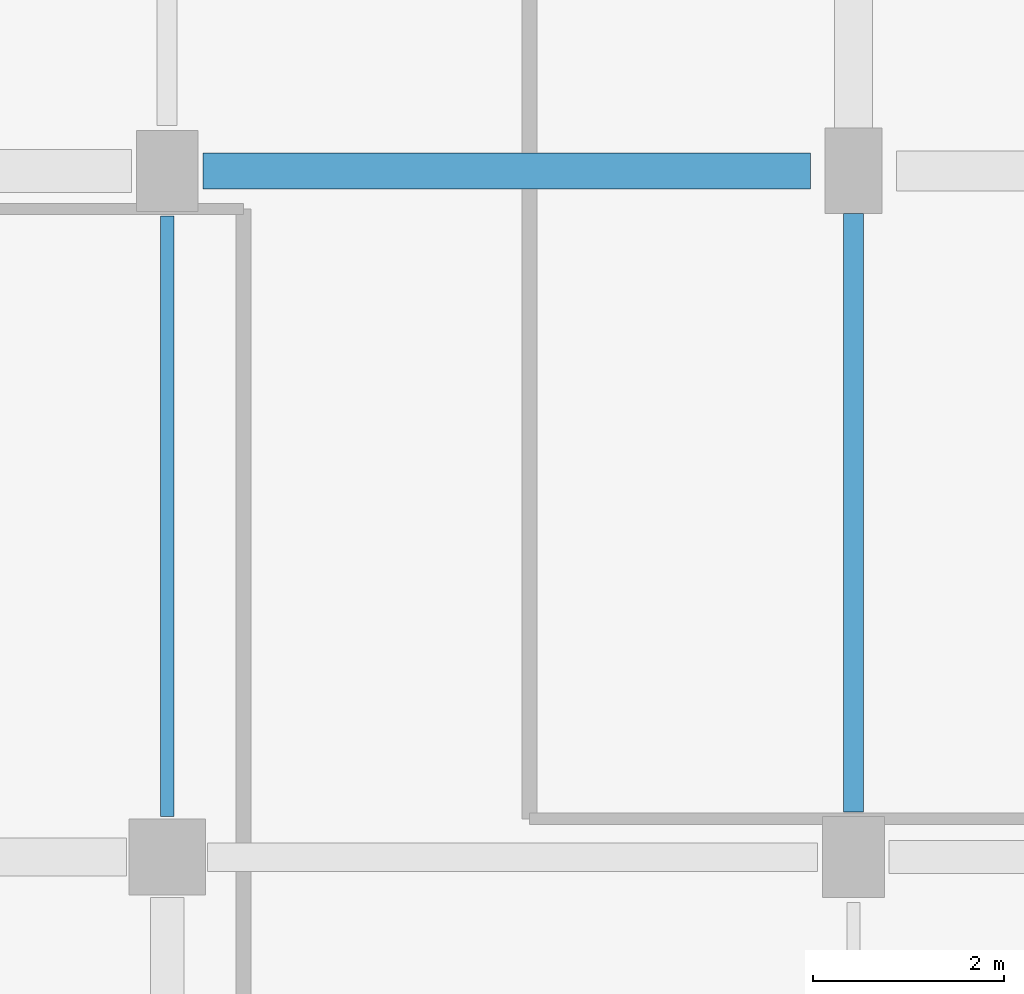
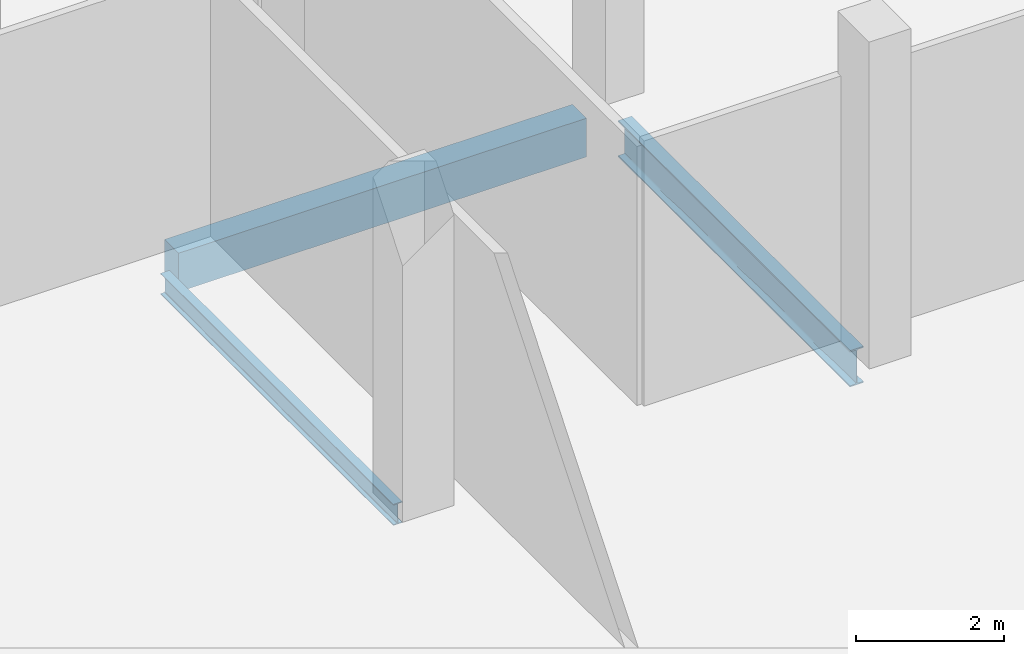
# One storey, part 16 of 110: 3 beams.
"""IFC4 building model written with IfcOpenShell, lengths in metres."""

from ifc_helpers import new_model, si_unit, direction, frame, origin, origin_2d, place, context, subcontext, project, spatial, rectangle, i_section, extrude, material, material_profile, profile_set, type_object, element, save


model = new_model("IFC4")

# Units and contexts
model_context = context("Model", 3, precision=1e-05, world=origin(), true_north=direction((0.0, 1.0)))
body_context = subcontext(model_context, "Body", "Model", "MODEL_VIEW")
ifc_project = project(units=[si_unit("LENGTHUNIT", "METRE"), si_unit("AREAUNIT", "SQUARE_METRE"), si_unit("VOLUMEUNIT", "CUBIC_METRE"), si_unit("PLANEANGLEUNIT", "RADIAN"), si_unit("MASSUNIT", "GRAM", prefix="KILO")], contexts=[model_context])

# Site, building, storey
site_placement = place(None, origin())
site = spatial("IfcSite", under=ifc_project, at=site_placement, CompositionType="ELEMENT")
building_placement = place(site_placement, origin())
building = spatial("IfcBuilding", under=site, at=building_placement, Name="Kalluvel Institute of Natural Sciences", CompositionType="ELEMENT")
storey_placement = place(building_placement, origin())
storey = spatial("IfcBuildingStorey", under=building, at=storey_placement, Name="L00", CompositionType="ELEMENT", Elevation=0.0)

# Beams
ifc_material_1 = material(Name="Steel E350 Grade 350", Category="steel")
ifc_material_profile_1 = material_profile(ifc_material_1, i_section(OverallWidth=0.139892578125, OverallDepth=0.35009765625, WebThickness=0.008056640625, FlangeThickness=0.01416015625, FilletRadius=0.013916015625, at=origin_2d()), Name="ISMB 350")
ifc_profile_set_1 = profile_set([ifc_material_profile_1], Name="Steel E350 Grade 350")
beam_type_1 = type_object("IfcBeamType", Name="BM-ISMB350", PredefinedType="BEAM", material=ifc_profile_set_1)
beam_1_placement = place(storey_placement, frame((21.199951171875, 36.02490234375, -0.4951171875), z_axis=(0.0, 1.0, 0.0), x_axis=(-1.0, 0.0, 0.0)))
element("IfcBeam", 1, at=beam_1_placement, inside=storey, type_object=beam_type_1, Name="L00 girder GIR-L00-NS-X212-Y356", PredefinedType="BEAM", context=body_context, shape_type="SweptSolid", body=[
    extrude(i_section(OverallWidth=0.139892578125, OverallDepth=0.35009765625, WebThickness=0.008056640625, FlangeThickness=0.01416015625, FilletRadius=0.013916015625, at=origin_2d()), origin(), (0.0, 0.0, 1.0), 6.300048828125),
])
ifc_material_profile_2 = material_profile(ifc_material_1, i_section(OverallWidth=0.2099609375, OverallDepth=0.60009765625, WebThickness=0.011962890625, FlangeThickness=0.020751953125, FilletRadius=0.02001953125, at=origin_2d()), Name="ISMB 600")
ifc_profile_set_2 = profile_set([ifc_material_profile_2], Name="Steel E350 Grade 350")
beam_type_2 = type_object("IfcBeamType", Name="BM-ISMB600", PredefinedType="BEAM", material=ifc_profile_set_2)
beam_2_placement = place(storey_placement, frame((28.39990234375, 36.074951171875, -0.6201171875), z_axis=(0.0, 1.0, 0.0), x_axis=(-1.0, 0.0, 0.0)))
element("IfcBeam", 2, at=beam_2_placement, inside=storey, type_object=beam_type_2, Name="L00 girder GIR-L00-NS-X284-Y356", PredefinedType="BEAM", context=body_context, shape_type="SweptSolid", body=[
    extrude(i_section(OverallWidth=0.2099609375, OverallDepth=0.60009765625, WebThickness=0.011962890625, FlangeThickness=0.020751953125, FilletRadius=0.02001953125, at=origin_2d()), origin(), (0.0, 0.0, 1.0), 6.275146484375),
])
ifc_material_2 = material(Name="Concrete M40", Category="concrete")
ifc_material_profile_3 = material_profile(ifc_material_2, rectangle(XDim=0.3798828125, YDim=0.639892578125, at=origin_2d()), Name="RCB 380x640")
ifc_profile_set_3 = profile_set([ifc_material_profile_3], Name="Concrete M40")
beam_type_3 = type_object("IfcBeamType", Name="BM-RC380x640", PredefinedType="BEAM", material=ifc_profile_set_3)
beam_3_placement = place(storey_placement, frame((21.574951171875, 42.800048828125, -0.639892578125), z_axis=(1.0, 0.0, 0.0), x_axis=(0.0, 1.0, 0.0)))
element("IfcBeam", 3, at=beam_3_placement, inside=storey, type_object=beam_type_3, Name="L00 girder GIR-L00-EW-X212-Y428", PredefinedType="BEAM", context=body_context, shape_type="SweptSolid", body=[
    extrude(rectangle(XDim=0.3798828125, YDim=0.639892578125, at=origin_2d()), origin(), (0.0, 0.0, 1.0), 6.375),
])

save(model, "model.ifc")
